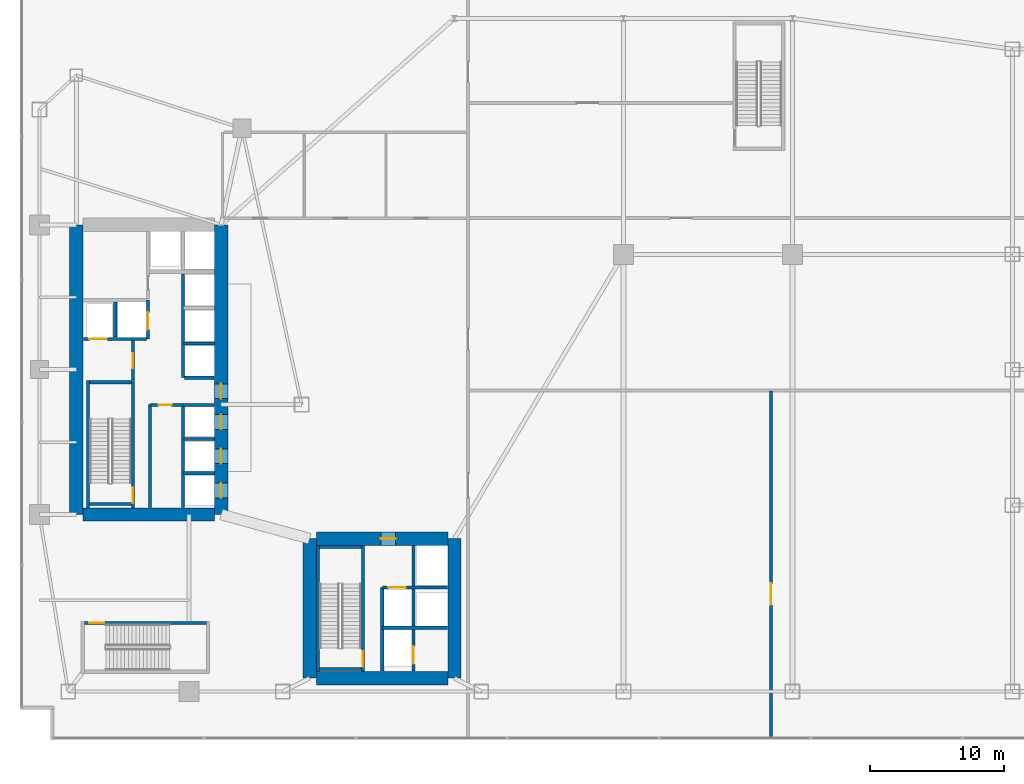
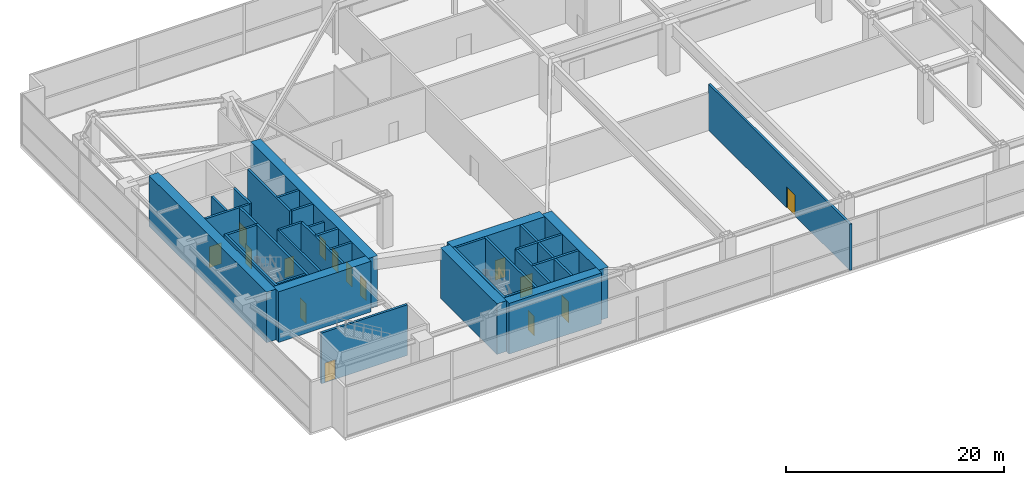
# One storey, part 30 of 35: 34 walls, 15 doors, 15 openings.
"""IFC4 building model written with IfcOpenShell, lengths in metres."""

from ifc_helpers import new_model, si_unit, direction, frame, frame_2d, origin, place, context, subcontext, project, spatial, rectangle, extrude, material, layer, layer_set, type_object, element, fill, save


model = new_model("IFC4")

# Units and contexts
model_context = context("Model", 3, precision=1e-05, world=origin(), true_north=direction((0.0, 1.0)))
body_context = subcontext(model_context, "Body", "Model", "MODEL_VIEW")
ifc_project = project(units=[si_unit("LENGTHUNIT", "METRE"), si_unit("AREAUNIT", "SQUARE_METRE"), si_unit("VOLUMEUNIT", "CUBIC_METRE"), si_unit("PLANEANGLEUNIT", "RADIAN"), si_unit("MASSUNIT", "GRAM", prefix="KILO")], contexts=[model_context])

# Site, building, storey
site_placement = place(None, origin())
site = spatial("IfcSite", under=ifc_project, at=site_placement, CompositionType="ELEMENT")
building_placement = place(site_placement, origin())
building = spatial("IfcBuilding", under=site, at=building_placement, Name="Calvorn Quay Hotel", CompositionType="ELEMENT")
storey_placement = place(building_placement, frame((0.0, 0.0, 6.0)))
storey = spatial("IfcBuildingStorey", under=building, at=storey_placement, Name="L01", CompositionType="ELEMENT", Elevation=6.0)

# Wall
ifc_material_1 = material(Name="Concrete C60", Category="concrete")
ifc_layer_1 = layer(ifc_material_1, 1.0)
ifc_layer_set_1 = layer_set([ifc_layer_1], Name="WL-CORE-1000")
wall_type_1 = type_object("IfcWallType", Name="WL-CORE-1000", PredefinedType="SHEAR", material=ifc_layer_set_1)
wall_1_placement = place(storey_placement, frame((4.199951171875, 16.800048828125, 0.0), z_axis=(0.0, 0.0, 1.0), x_axis=(0.0, 1.0, 0.0)))
element("IfcWall", 1, at=wall_1_placement, inside=storey, type_object=wall_type_1, Name="West Core Shear Wall W (L01)", PredefinedType="SHEAR", context=body_context, shape_type="SweptSolid", body=[
    extrude(rectangle(XDim=21.599853515625, YDim=1.0, at=frame_2d((10.7998046875, 0.0))), origin(), (0.0, 0.0, 1.0), 5.679931640625),
])

# Wall, openings, doors
wall_2_placement = place(storey_placement, frame((15.0, 16.800048828125, 0.0), z_axis=(0.0, 0.0, 1.0), x_axis=(0.0, 1.0, 0.0)))
wall_2 = element("IfcWall", 2, at=wall_2_placement, inside=storey, type_object=wall_type_1, Name="West Core Shear Wall E (L01)", PredefinedType="SHEAR", context=body_context, shape_type="SweptSolid", body=[
    extrude(rectangle(XDim=21.599853515625, YDim=1.0, at=frame_2d((10.7998046875, 0.0))), origin(), (0.0, 0.0, 1.0), 5.679931640625),
])
opening_1_placement = place(wall_2_placement, frame((8.64990234375, 0.0, 0.0)))
opening_1 = element("IfcOpeningElement", 3, at=opening_1_placement, cuts=wall_2, Name="Opening D-L01-CW1", PredefinedType="OPENING", context=body_context, shape_type="SweptSolid", body=[
    extrude(rectangle(XDim=1.10009765625, YDim=2.199951171875, at=frame_2d((0.550048828125, 1.10009765625))), frame((0.0, 0.510009765625, 0.0), z_axis=(0.0, -1.0, 0.0), x_axis=(1.0, 0.0, 0.0)), (0.0, 0.0, 1.0), 1.02001953125),
])
opening_2_placement = place(wall_2_placement, frame((1.25, 0.0, 0.0)))
opening_2 = element("IfcOpeningElement", 4, at=opening_2_placement, cuts=wall_2, Name="Opening LD-L01-L1", PredefinedType="OPENING", context=body_context, shape_type="SweptSolid", body=[
    extrude(rectangle(XDim=1.10009765625, YDim=2.199951171875, at=frame_2d((0.550048828125, 1.10009765625))), frame((0.0, 0.510009765625, 0.0), z_axis=(0.0, -1.0, 0.0), x_axis=(1.0, 0.0, 0.0)), (0.0, 0.0, 1.0), 1.02001953125),
])
opening_3_placement = place(wall_2_placement, frame((3.800048828125, 0.0, 0.0)))
opening_3 = element("IfcOpeningElement", 5, at=opening_3_placement, cuts=wall_2, Name="Opening LD-L01-L2", PredefinedType="OPENING", context=body_context, shape_type="SweptSolid", body=[
    extrude(rectangle(XDim=1.10009765625, YDim=2.199951171875, at=frame_2d((0.550048828125, 1.10009765625))), frame((0.0, 0.510009765625, 0.0), z_axis=(0.0, -1.0, 0.0), x_axis=(1.0, 0.0, 0.0)), (0.0, 0.0, 1.0), 1.02001953125),
])
opening_4_placement = place(wall_2_placement, frame((6.35009765625, 0.0, 0.0)))
opening_4 = element("IfcOpeningElement", 6, at=opening_4_placement, cuts=wall_2, Name="Opening LD-L01-L3", PredefinedType="OPENING", context=body_context, shape_type="SweptSolid", body=[
    extrude(rectangle(XDim=1.10009765625, YDim=2.199951171875, at=frame_2d((0.550048828125, 1.10009765625))), frame((0.0, 0.510009765625, 0.0), z_axis=(0.0, -1.0, 0.0), x_axis=(1.0, 0.0, 0.0)), (0.0, 0.0, 1.0), 1.02001953125),
])
ifc_material_2 = material(Name="Smoke-Sealed Steel Class A Fire Door", Category="steel")
door_type_1 = type_object("IfcDoorType", Name="DR-FFLOBBY-1100", OperationType="NOTDEFINED", PredefinedType="DOOR", material=ifc_material_2)
door_1_placement = place(opening_1_placement, origin())
door_1 = element("IfcDoor", 7, at=door_1_placement, inside=storey, type_object=door_type_1, Name="West Core Vestibule Fire Door (L01)", OperationType="SINGLE_SWING_RIGHT", OverallHeight=2.199951171875, OverallWidth=1.10009765625, PredefinedType="DOOR", context=body_context, shape_type="SweptSolid", body=[
    extrude(rectangle(XDim=1.10009765625, YDim=2.199951171875, at=frame_2d((0.550048828125, 1.10009765625))), frame((0.0, 0.02490234375, 0.0), z_axis=(0.0, -1.0, 0.0), x_axis=(1.0, 0.0, 0.0)), (0.0, 0.0, 1.0), 0.050048828125),
])
fill(opening_1, door_1)
ifc_material_3 = material(Name="Brushed Stainless Steel Sliding Lift Landing Door", Category="steel")
door_type_2 = type_object("IfcDoorType", Name="DR-LIFT-PASS-1100", OperationType="NOTDEFINED", PredefinedType="DOOR", material=ifc_material_3)
door_2_placement = place(opening_2_placement, origin())
door_2 = element("IfcDoor", 8, at=door_2_placement, inside=storey, type_object=door_type_2, Name="Low-Rise Lift PL-L1 Landing Door (L01)", OperationType="DOUBLE_DOOR_SLIDING", OverallHeight=2.199951171875, OverallWidth=1.10009765625, PredefinedType="DOOR", context=body_context, shape_type="SweptSolid", body=[
    extrude(rectangle(XDim=1.10009765625, YDim=2.199951171875, at=frame_2d((0.550048828125, 1.10009765625))), frame((0.0, 0.02490234375, 0.0), z_axis=(0.0, -1.0, 0.0), x_axis=(1.0, 0.0, 0.0)), (0.0, 0.0, 1.0), 0.050048828125),
])
fill(opening_2, door_2)
door_3_placement = place(opening_3_placement, origin())
door_3 = element("IfcDoor", 9, at=door_3_placement, inside=storey, type_object=door_type_2, Name="Low-Rise Lift PL-L2 Landing Door (L01)", OperationType="DOUBLE_DOOR_SLIDING", OverallHeight=2.199951171875, OverallWidth=1.10009765625, PredefinedType="DOOR", context=body_context, shape_type="SweptSolid", body=[
    extrude(rectangle(XDim=1.10009765625, YDim=2.199951171875, at=frame_2d((0.550048828125, 1.10009765625))), frame((0.0, 0.02490234375, 0.0), z_axis=(0.0, -1.0, 0.0), x_axis=(1.0, 0.0, 0.0)), (0.0, 0.0, 1.0), 0.050048828125),
])
fill(opening_3, door_3)
door_4_placement = place(opening_4_placement, origin())
door_4 = element("IfcDoor", 10, at=door_4_placement, inside=storey, type_object=door_type_2, Name="Low-Rise Lift PL-L3 Landing Door (L01)", OperationType="DOUBLE_DOOR_SLIDING", OverallHeight=2.199951171875, OverallWidth=1.10009765625, PredefinedType="DOOR", context=body_context, shape_type="SweptSolid", body=[
    extrude(rectangle(XDim=1.10009765625, YDim=2.199951171875, at=frame_2d((0.550048828125, 1.10009765625))), frame((0.0, 0.02490234375, 0.0), z_axis=(0.0, -1.0, 0.0), x_axis=(1.0, 0.0, 0.0)), (0.0, 0.0, 1.0), 0.050048828125),
])
fill(opening_4, door_4)

# Walls
wall_3_placement = place(storey_placement, frame((4.699951171875, 16.800048828125, 0.0), z_axis=(0.0, 0.0, 1.0), x_axis=(1.0, 0.0, 0.0)))
element("IfcWall", 11, at=wall_3_placement, inside=storey, type_object=wall_type_1, Name="West Core Shear Wall S (L01)", PredefinedType="SHEAR", context=body_context, shape_type="SweptSolid", body=[
    extrude(rectangle(XDim=9.800048828125, YDim=1.0, at=frame_2d((4.89990234375, 0.0))), origin(), (0.0, 0.0, 1.0), 5.679931640625),
])
for number, where, z_axis, x_axis, name in (
    (12, (21.60009765625, 4.60009765625, 0.0), (0.0, 0.0, 1.0), (0.0, 1.0, 0.0), "East Core Shear Wall W (L01)"),
    (13, (32.39990234375, 4.60009765625, 0.0), (0.0, 0.0, 1.0), (0.0, 1.0, 0.0), "East Core Shear Wall E (L01)"),
):
    element("IfcWall", number, at=place(storey_placement, frame(where, z_axis=z_axis, x_axis=x_axis)), inside=storey, type_object=wall_type_1, Name=name, PredefinedType="SHEAR", context=body_context, shape_type="SweptSolid", body=[
        extrude(rectangle(XDim=10.39990234375, YDim=1.0, at=frame_2d((5.199951171875, 0.0))), origin(), (0.0, 0.0, 1.0), 5.679931640625),
    ])

# Wall, opening, door
wall_4_placement = place(storey_placement, frame((22.10009765625, 15.0, 0.0), z_axis=(0.0, 0.0, 1.0), x_axis=(1.0, 0.0, 0.0)))
wall_4 = element("IfcWall", 14, at=wall_4_placement, inside=storey, type_object=wall_type_1, Name="East Core Shear Wall N (L01)", PredefinedType="SHEAR", context=body_context, shape_type="SweptSolid", body=[
    extrude(rectangle(XDim=9.7998046875, YDim=1.0, at=frame_2d((4.89990234375, 0.0))), origin(), (0.0, 0.0, 1.0), 5.679931640625),
])
opening_5_placement = place(wall_4_placement, frame((4.800048828125, 0.0, 0.0)))
opening_5 = element("IfcOpeningElement", 15, at=opening_5_placement, cuts=wall_4, Name="Opening D-L01-FLE", PredefinedType="OPENING", context=body_context, shape_type="SweptSolid", body=[
    extrude(rectangle(XDim=1.10009765625, YDim=2.199951171875, at=frame_2d((0.550048828125, 1.10009765625))), frame((0.0, 0.510009765625, 0.0), z_axis=(0.0, -1.0, 0.0), x_axis=(1.0, 0.0, 0.0)), (0.0, 0.0, 1.0), 1.02001953125),
])
door_5_placement = place(opening_5_placement, origin())
door_5 = element("IfcDoor", 16, at=door_5_placement, inside=storey, type_object=door_type_1, Name="East Firefighting Lobby Fire Door (L01)", OperationType="SINGLE_SWING_LEFT", OverallHeight=2.199951171875, OverallWidth=1.10009765625, PredefinedType="DOOR", context=body_context, shape_type="SweptSolid", body=[
    extrude(rectangle(XDim=1.10009765625, YDim=2.199951171875, at=frame_2d((0.550048828125, 1.10009765625))), frame((0.0, 0.02490234375, 0.0), z_axis=(0.0, -1.0, 0.0), x_axis=(1.0, 0.0, 0.0)), (0.0, 0.0, 1.0), 0.050048828125),
])
fill(opening_5, door_5)

# Walls
wall_5_placement = place(storey_placement, frame((22.10009765625, 4.60009765625, 0.0), z_axis=(0.0, 0.0, 1.0), x_axis=(1.0, 0.0, 0.0)))
element("IfcWall", 17, at=wall_5_placement, inside=storey, type_object=wall_type_1, Name="East Core Shear Wall S (L01)", PredefinedType="SHEAR", context=body_context, shape_type="SweptSolid", body=[
    extrude(rectangle(XDim=9.7998046875, YDim=1.0, at=frame_2d((4.89990234375, 0.0))), origin(), (0.0, 0.0, 1.0), 5.679931640625),
])
ifc_material_4 = material(Name="Autoclaved Aerated Masonry Block", Category="masonry")
ifc_layer_2 = layer(ifc_material_4, 0.219970703125)
ifc_layer_set_2 = layer_set([ifc_layer_2], Name="WL-LOBBY-FIRE-220")
wall_type_2 = type_object("IfcWallType", Name="WL-LOBBY-FIRE-220", PredefinedType="SOLIDWALL", material=ifc_layer_set_2)
wall_6_placement = place(storey_placement, frame((9.679931640625, 17.320068359375, 0.0), z_axis=(0.0, 0.0, 1.0), x_axis=(0.0, 1.0, 0.0)))
element("IfcWall", 18, at=wall_6_placement, inside=storey, type_object=wall_type_2, Name="Partition Wall L01-WL-CWW-STW-HALL-E", PredefinedType="SOLIDWALL", context=body_context, shape_type="SweptSolid", body=[
    extrude(rectangle(XDim=7.679931640625, YDim=0.219970703125, at=frame_2d((3.83984375, 0.0))), origin(), (0.0, 0.0, 1.0), 5.679931640625),
])

# Wall, opening, door
wall_7_placement = place(storey_placement, frame((56.0, 0.06005859375, 0.0), z_axis=(0.0, 0.0, 1.0), x_axis=(0.0, 1.0, 0.0)))
wall_7 = element("IfcWall", 19, at=wall_7_placement, inside=storey, type_object=wall_type_2, Name="Partition Wall L01-WL-L01-BR-M", PredefinedType="SOLIDWALL", context=body_context, shape_type="SweptSolid", body=[
    extrude(rectangle(XDim=25.93994140625, YDim=0.219970703125, at=frame_2d((12.969970703125, 0.0))), origin(), (0.0, 0.0, 1.0), 5.179931640625),
])
opening_6_placement = place(wall_7_placement, frame((10.0, 0.0, 0.0)))
opening_6 = element("IfcOpeningElement", 20, at=opening_6_placement, cuts=wall_7, Name="Opening D-L01-BST", PredefinedType="OPENING", context=body_context, shape_type="SweptSolid", body=[
    extrude(rectangle(XDim=1.60009765625, YDim=2.35009765625, at=frame_2d((0.800048828125, 1.175048828125))), frame((0.0, 0.119873046875, 0.0), z_axis=(0.0, -1.0, 0.0), x_axis=(1.0, 0.0, 0.0)), (0.0, 0.0, 1.0), 0.239990234375),
])
ifc_material_5 = material(Name="Heavy-Duty Steel Acoustic Plant Fire Door", Category="steel")
door_type_3 = type_object("IfcDoorType", Name="DR-PLANT-DBL-1600", OperationType="NOTDEFINED", PredefinedType="DOOR", material=ifc_material_5)
door_6_placement = place(opening_6_placement, origin())
door_6 = element("IfcDoor", 21, at=door_6_placement, inside=storey, type_object=door_type_3, Name="Banquet Furniture Store Door", OperationType="SINGLE_SWING_LEFT", OverallHeight=2.35009765625, OverallWidth=1.60009765625, PredefinedType="DOOR", context=body_context, shape_type="SweptSolid", body=[
    extrude(rectangle(XDim=1.60009765625, YDim=2.35009765625, at=frame_2d((0.800048828125, 1.175048828125))), frame((0.0, 0.02490234375, 0.0), z_axis=(0.0, -1.0, 0.0), x_axis=(1.0, 0.0, 0.0)), (0.0, 0.0, 1.0), 0.050048828125),
])
fill(opening_6, door_6)

# Wall
ifc_material_6 = material(Name="Concrete C40", Category="concrete")
ifc_layer_3 = layer(ifc_material_6, 0.239990234375)
ifc_layer_set_3 = layer_set([ifc_layer_3], Name="WL-SHAFT-240")
wall_type_3 = type_object("IfcWallType", Name="WL-SHAFT-240", PredefinedType="SOLIDWALL", material=ifc_layer_set_3)
wall_8_placement = place(storey_placement, frame((5.080078125, 17.300048828125, 0.0), z_axis=(0.0, 0.0, 1.0), x_axis=(0.0, 1.0, 0.0)))
element("IfcWall", 22, at=wall_8_placement, inside=storey, type_object=wall_type_3, Name="Stair STW Shaft Wall W (L01)", PredefinedType="SOLIDWALL", context=body_context, shape_type="SweptSolid", body=[
    extrude(rectangle(XDim=9.489990234375, YDim=0.239990234375, at=frame_2d((4.7451171875, 0.0))), origin(), (0.0, 0.0, 1.0), 5.679931640625),
])

# Wall, opening, door
wall_9_placement = place(storey_placement, frame((8.419921875, 17.300048828125, 0.0), z_axis=(0.0, 0.0, 1.0), x_axis=(0.0, 1.0, 0.0)))
wall_9 = element("IfcWall", 23, at=wall_9_placement, inside=storey, type_object=wall_type_3, Name="Stair STW Shaft Wall E (L01)", PredefinedType="SOLIDWALL", context=body_context, shape_type="SweptSolid", body=[
    extrude(rectangle(XDim=9.489990234375, YDim=0.239990234375, at=frame_2d((4.7451171875, 0.0))), origin(), (0.0, 0.0, 1.0), 5.679931640625),
])
opening_7_placement = place(wall_9_placement, frame((0.35009765625, 0.0, 0.0)))
opening_7 = element("IfcOpeningElement", 24, at=opening_7_placement, cuts=wall_9, Name="Opening D-L01-STW", PredefinedType="OPENING", context=body_context, shape_type="SweptSolid", body=[
    extrude(rectangle(XDim=1.14990234375, YDim=2.199951171875, at=frame_2d((0.574951171875, 1.10009765625))), frame((0.0, 0.1298828125, 0.0), z_axis=(0.0, -1.0, 0.0), x_axis=(1.0, 0.0, 0.0)), (0.0, 0.0, 1.0), 0.260009765625),
])
ifc_material_7 = material(Name="Galvanised Steel Class A Fire Door", Category="steel")
door_type_4 = type_object("IfcDoorType", Name="DR-STAIR-SMOKE-1150", OperationType="NOTDEFINED", PredefinedType="DOOR", material=ifc_material_7)
door_7_placement = place(opening_7_placement, origin())
door_7 = element("IfcDoor", 25, at=door_7_placement, inside=storey, type_object=door_type_4, Name="Stair ST-W Fire Door (L01)", OperationType="SINGLE_SWING_LEFT", OverallHeight=2.199951171875, OverallWidth=1.14990234375, PredefinedType="DOOR", context=body_context, shape_type="SweptSolid", body=[
    extrude(rectangle(XDim=1.14990234375, YDim=2.199951171875, at=frame_2d((0.574951171875, 1.10009765625))), frame((0.0, 0.02490234375, 0.0), z_axis=(0.0, -1.0, 0.0), x_axis=(1.0, 0.0, 0.0)), (0.0, 0.0, 1.0), 0.050048828125),
])
fill(opening_7, door_7)

# Walls
for number, where, z_axis, x_axis, name in (
    (26, (5.199951171875, 17.580078125, 0.0), (0.0, 0.0, 1.0), (1.0, 0.0, 0.0), "Stair STW Shaft Wall S (L01)"),
    (27, (5.199951171875, 26.669921875, 0.0), (0.0, 0.0, 1.0), (1.0, 0.0, 0.0), "Stair STW Shaft Wall N (L01)"),
):
    element("IfcWall", number, at=place(storey_placement, frame(where, z_axis=z_axis, x_axis=x_axis)), inside=storey, type_object=wall_type_3, Name=name, PredefinedType="SOLIDWALL", context=body_context, shape_type="SweptSolid", body=[
        extrude(rectangle(XDim=3.10009765625, YDim=0.239990234375, at=frame_2d((1.550048828125, 0.0))), origin(), (0.0, 0.0, 1.0), 5.679931640625),
    ])
wall_10_placement = place(storey_placement, frame((22.22998046875, 5.10009765625, 0.0), z_axis=(0.0, 0.0, 1.0), x_axis=(0.0, 1.0, 0.0)))
element("IfcWall", 28, at=wall_10_placement, inside=storey, type_object=wall_type_3, Name="Stair STE Shaft Wall W (L01)", PredefinedType="SOLIDWALL", context=body_context, shape_type="SweptSolid", body=[
    extrude(rectangle(XDim=9.389892578125, YDim=0.239990234375, at=frame_2d((4.69482421875, 0.0))), origin(), (0.0, 0.0, 1.0), 5.679931640625),
])

# Wall, opening, door
wall_11_placement = place(storey_placement, frame((25.570068359375, 5.10009765625, 0.0), z_axis=(0.0, 0.0, 1.0), x_axis=(0.0, 1.0, 0.0)))
wall_11 = element("IfcWall", 29, at=wall_11_placement, inside=storey, type_object=wall_type_3, Name="Stair STE Shaft Wall E (L01)", PredefinedType="SOLIDWALL", context=body_context, shape_type="SweptSolid", body=[
    extrude(rectangle(XDim=9.389892578125, YDim=0.239990234375, at=frame_2d((4.69482421875, 0.0))), origin(), (0.0, 0.0, 1.0), 5.679931640625),
])
opening_8_placement = place(wall_11_placement, frame((0.35009765625, 0.0, 0.0)))
opening_8 = element("IfcOpeningElement", 30, at=opening_8_placement, cuts=wall_11, Name="Opening D-L01-STE", PredefinedType="OPENING", context=body_context, shape_type="SweptSolid", body=[
    extrude(rectangle(XDim=1.14990234375, YDim=2.199951171875, at=frame_2d((0.574951171875, 1.10009765625))), frame((0.0, 0.1298828125, 0.0), z_axis=(0.0, -1.0, 0.0), x_axis=(1.0, 0.0, 0.0)), (0.0, 0.0, 1.0), 0.260009765625),
])
door_8_placement = place(opening_8_placement, origin())
door_8 = element("IfcDoor", 31, at=door_8_placement, inside=storey, type_object=door_type_4, Name="Stair ST-E Fire Door (L01)", OperationType="SINGLE_SWING_RIGHT", OverallHeight=2.199951171875, OverallWidth=1.14990234375, PredefinedType="DOOR", context=body_context, shape_type="SweptSolid", body=[
    extrude(rectangle(XDim=1.14990234375, YDim=2.199951171875, at=frame_2d((0.574951171875, 1.10009765625))), frame((0.0, 0.02490234375, 0.0), z_axis=(0.0, -1.0, 0.0), x_axis=(1.0, 0.0, 0.0)), (0.0, 0.0, 1.0), 0.050048828125),
])
fill(opening_8, door_8)

# Walls
for number, where, z_axis, x_axis, name in (
    (32, (22.35009765625, 5.280029296875, 0.0), (0.0, 0.0, 1.0), (1.0, 0.0, 0.0), "Stair STE Shaft Wall S (L01)"),
    (33, (22.35009765625, 14.3701171875, 0.0), (0.0, 0.0, 1.0), (1.0, 0.0, 0.0), "Stair STE Shaft Wall N (L01)"),
):
    element("IfcWall", number, at=place(storey_placement, frame(where, z_axis=z_axis, x_axis=x_axis)), inside=storey, type_object=wall_type_3, Name=name, PredefinedType="SOLIDWALL", context=body_context, shape_type="SweptSolid", body=[
        extrude(rectangle(XDim=3.099853515625, YDim=0.239990234375, at=frame_2d((1.5498046875, 0.0))), origin(), (0.0, 0.0, 1.0), 5.679931640625),
    ])

# Wall, opening, door
wall_12_placement = place(storey_placement, frame((4.800048828125, 8.719970703125, 0.0), z_axis=(0.0, 0.0, 1.0), x_axis=(1.0, 0.0, 0.0)))
wall_12 = element("IfcWall", 34, at=wall_12_placement, inside=storey, type_object=wall_type_3, Name="Stair STP2 Shaft Wall N (L01)", PredefinedType="SOLIDWALL", context=body_context, shape_type="SweptSolid", body=[
    extrude(rectangle(XDim=9.099853515625, YDim=0.239990234375, at=frame_2d((4.5498046875, 0.0))), origin(), (0.0, 0.0, 1.0), 5.679931640625),
])
opening_9_placement = place(wall_12_placement, frame((0.35009765625, 0.0, 0.0)))
opening_9 = element("IfcOpeningElement", 35, at=opening_9_placement, cuts=wall_12, Name="Opening D-L01-STP2", PredefinedType="OPENING", context=body_context, shape_type="SweptSolid", body=[
    extrude(rectangle(XDim=1.14990234375, YDim=2.199951171875, at=frame_2d((0.574951171875, 1.10009765625))), frame((0.0, 0.1298828125, 0.0), z_axis=(0.0, -1.0, 0.0), x_axis=(1.0, 0.0, 0.0)), (0.0, 0.0, 1.0), 0.260009765625),
])
door_9_placement = place(opening_9_placement, origin())
door_9 = element("IfcDoor", 36, at=door_9_placement, inside=storey, type_object=door_type_4, Name="Podium Stair ST-P2 Fire Door (L01)", OperationType="SINGLE_SWING_RIGHT", OverallHeight=2.199951171875, OverallWidth=1.14990234375, PredefinedType="DOOR", context=body_context, shape_type="SweptSolid", body=[
    extrude(rectangle(XDim=1.14990234375, YDim=2.199951171875, at=frame_2d((0.574951171875, 1.10009765625))), frame((0.0, 0.02490234375, 0.0), z_axis=(0.0, -1.0, 0.0), x_axis=(1.0, 0.0, 0.0)), (0.0, 0.0, 1.0), 0.050048828125),
])
fill(opening_9, door_9)

# Walls
for number, where, z_axis, x_axis, name in (
    (37, (12.179931640625, 19.875, 0.0), (0.0, 0.0, 1.0), (1.0, 0.0, 0.0), "Lift Hoistway Divider Wall PLL12 (L01)"),
    (38, (12.179931640625, 22.425048828125, 0.0), (0.0, 0.0, 1.0), (1.0, 0.0, 0.0), "Lift Hoistway Divider Wall PLL23 (L01)"),
    (39, (12.179931640625, 29.550048828125, 0.0), (0.0, 0.0, 1.0), (1.0, 0.0, 0.0), "Lift Hoistway Divider Wall PLM12 (L01)"),
):
    element("IfcWall", number, at=place(storey_placement, frame(where, z_axis=z_axis, x_axis=x_axis)), inside=storey, type_object=wall_type_3, Name=name, PredefinedType="SOLIDWALL", context=body_context, shape_type="SweptSolid", body=[
        extrude(rectangle(XDim=2.320068359375, YDim=0.239990234375, at=frame_2d((1.16015625, 0.0))), origin(), (0.0, 0.0, 1.0), 5.679931640625),
    ])

# Wall, opening, door
wall_13_placement = place(storey_placement, frame((8.419921875, 26.820068359375, 0.0), z_axis=(0.0, 0.0, 1.0), x_axis=(0.0, 1.0, 0.0)))
wall_13 = element("IfcWall", 40, at=wall_13_placement, inside=storey, type_object=wall_type_3, Name="Partition Wall L01-WL-CWW-FFL-E", PredefinedType="SOLIDWALL", context=body_context, shape_type="SweptSolid", body=[
    extrude(rectangle(XDim=3.0, YDim=0.239990234375, at=frame_2d((1.5, 0.0))), origin(), (0.0, 0.0, 1.0), 5.679931640625),
])
opening_10_placement = place(wall_13_placement, frame((0.89990234375, 0.0, 0.0)))
opening_10 = element("IfcOpeningElement", 41, at=opening_10_placement, cuts=wall_13, Name="Opening D-L01-FLW", PredefinedType="OPENING", context=body_context, shape_type="SweptSolid", body=[
    extrude(rectangle(XDim=1.10009765625, YDim=2.199951171875, at=frame_2d((0.550048828125, 1.10009765625))), frame((0.0, 0.1298828125, 0.0), z_axis=(0.0, -1.0, 0.0), x_axis=(1.0, 0.0, 0.0)), (0.0, 0.0, 1.0), 0.260009765625),
])
door_10_placement = place(opening_10_placement, origin())
door_10 = element("IfcDoor", 42, at=door_10_placement, inside=storey, type_object=door_type_1, Name="West Firefighting Lobby Fire Door (L01)", OperationType="SINGLE_SWING_RIGHT", OverallHeight=2.199951171875, OverallWidth=1.10009765625, PredefinedType="DOOR", context=body_context, shape_type="SweptSolid", body=[
    extrude(rectangle(XDim=1.10009765625, YDim=2.199951171875, at=frame_2d((0.550048828125, 1.10009765625))), frame((0.0, 0.02490234375, 0.0), z_axis=(0.0, -1.0, 0.0), x_axis=(1.0, 0.0, 0.0)), (0.0, 0.0, 1.0), 0.050048828125),
])
fill(opening_10, door_10)

wall_14_placement = place(storey_placement, frame((4.719970703125, 29.8798828125, 0.0), z_axis=(0.0, 0.0, 1.0), x_axis=(1.0, 0.0, 0.0)))
wall_14 = element("IfcWall", 43, at=wall_14_placement, inside=storey, type_object=wall_type_3, Name="Partition Wall L01-WL-CWW-FLW-S", PredefinedType="SOLIDWALL", context=body_context, shape_type="SweptSolid", body=[
    extrude(rectangle(XDim=4.699951171875, YDim=0.239990234375, at=frame_2d((2.35009765625, 0.0))), origin(), (0.0, 0.0, 1.0), 5.679931640625),
])
opening_11_placement = place(wall_14_placement, frame((0.449951171875, 0.0, 0.0)))
opening_11 = element("IfcOpeningElement", 44, at=opening_11_placement, cuts=wall_14, Name="Opening LD-L01-FLW1", PredefinedType="OPENING", context=body_context, shape_type="SweptSolid", body=[
    extrude(rectangle(XDim=1.300048828125, YDim=2.35009765625, at=frame_2d((0.64990234375, 1.175048828125))), frame((0.0, 0.1298828125, 0.0), z_axis=(0.0, -1.0, 0.0), x_axis=(1.0, 0.0, 0.0)), (0.0, 0.0, 1.0), 0.260009765625),
])
ifc_material_8 = material(Name="Champagne-Bronze Sliding Express Lift Landing Door")
door_type_5 = type_object("IfcDoorType", Name="DR-LIFT-SHUTTLE-1300", OperationType="NOTDEFINED", PredefinedType="DOOR", material=ifc_material_8)
door_11_placement = place(opening_11_placement, origin())
door_11 = element("IfcDoor", 45, at=door_11_placement, inside=storey, type_object=door_type_5, Name="Firefighting Lift FL-W1 Landing Door (L01)", OperationType="DOUBLE_DOOR_SLIDING", OverallHeight=2.35009765625, OverallWidth=1.300048828125, PredefinedType="DOOR", context=body_context, shape_type="SweptSolid", body=[
    extrude(rectangle(XDim=1.300048828125, YDim=2.35009765625, at=frame_2d((0.64990234375, 1.175048828125))), frame((0.0, 0.02490234375, 0.0), z_axis=(0.0, -1.0, 0.0), x_axis=(1.0, 0.0, 0.0)), (0.0, 0.0, 1.0), 0.050048828125),
])
fill(opening_11, door_11)

# Wall
wall_15_placement = place(storey_placement, frame((7.10009765625, 30.02001953125, 0.0), z_axis=(0.0, 0.0, 1.0), x_axis=(0.0, 1.0, 0.0)))
element("IfcWall", 46, at=wall_15_placement, inside=storey, type_object=wall_type_3, Name="Partition Wall L01-WL-CWW-FLW-DIV", PredefinedType="SOLIDWALL", context=body_context, shape_type="SweptSolid", body=[
    extrude(rectangle(XDim=2.6298828125, YDim=0.239990234375, at=frame_2d((1.31494140625, 0.0))), origin(), (0.0, 0.0, 1.0), 5.679931640625),
])

# Wall, opening, door
wall_16_placement = place(storey_placement, frame((9.5400390625, 29.8798828125, 0.0), z_axis=(0.0, 0.0, 1.0), x_axis=(0.0, 1.0, 0.0)))
wall_16 = element("IfcWall", 47, at=wall_16_placement, inside=storey, type_object=wall_type_3, Name="Partition Wall L01-WL-CWW-SLW-E", PredefinedType="SOLIDWALL", context=body_context, shape_type="SweptSolid", body=[
    extrude(rectangle(XDim=2.900146484375, YDim=0.239990234375, at=frame_2d((1.4501953125, 0.0))), origin(), (0.0, 0.0, 1.0), 5.679931640625),
])
opening_12_placement = place(wall_16_placement, frame((0.699951171875, 0.0, 0.0)))
opening_12 = element("IfcOpeningElement", 48, at=opening_12_placement, cuts=wall_16, Name="Opening LD-L01-SLW1", PredefinedType="OPENING", context=body_context, shape_type="SweptSolid", body=[
    extrude(rectangle(XDim=1.300048828125, YDim=2.35009765625, at=frame_2d((0.64990234375, 1.175048828125))), frame((0.0, 0.1298828125, 0.0), z_axis=(0.0, -1.0, 0.0), x_axis=(1.0, 0.0, 0.0)), (0.0, 0.0, 1.0), 0.260009765625),
])
door_12_placement = place(opening_12_placement, origin())
door_12 = element("IfcDoor", 49, at=door_12_placement, inside=storey, type_object=door_type_5, Name="Service Lift SL-W1 Landing Door (L01)", OperationType="DOUBLE_DOOR_SLIDING", OverallHeight=2.35009765625, OverallWidth=1.300048828125, PredefinedType="DOOR", context=body_context, shape_type="SweptSolid", body=[
    extrude(rectangle(XDim=1.300048828125, YDim=2.35009765625, at=frame_2d((0.64990234375, 1.175048828125))), frame((0.0, 0.02490234375, 0.0), z_axis=(0.0, -1.0, 0.0), x_axis=(1.0, 0.0, 0.0)), (0.0, 0.0, 1.0), 0.050048828125),
])
fill(opening_12, door_12)

# Wall
wall_17_placement = place(storey_placement, frame((12.14990234375, 17.320068359375, 0.0), z_axis=(0.0, 0.0, 1.0), x_axis=(0.0, 1.0, 0.0)))
element("IfcWall", 50, at=wall_17_placement, inside=storey, type_object=wall_type_3, Name="Partition Wall L01-WL-CWW-PLL-W", PredefinedType="SOLIDWALL", context=body_context, shape_type="SweptSolid", body=[
    extrude(rectangle(XDim=7.64990234375, YDim=0.239990234375, at=frame_2d((3.824951171875, 0.0))), origin(), (0.0, 0.0, 1.0), 5.679931640625),
])

# Wall, opening, door
wall_18_placement = place(storey_placement, frame((9.679931640625, 24.969970703125, 0.0), z_axis=(0.0, 0.0, 1.0), x_axis=(1.0, 0.0, 0.0)))
wall_18 = element("IfcWall", 51, at=wall_18_placement, inside=storey, type_object=wall_type_3, Name="Partition Wall L01-WL-CWW-SER-N", PredefinedType="SOLIDWALL", context=body_context, shape_type="SweptSolid", body=[
    extrude(rectangle(XDim=2.469970703125, YDim=0.239990234375, at=frame_2d((1.23486328125, 0.0))), origin(), (0.0, 0.0, 1.0), 5.679931640625),
])
opening_13_placement = place(wall_18_placement, frame((0.64990234375, 0.0, 0.0)))
opening_13 = element("IfcOpeningElement", 52, at=opening_13_placement, cuts=wall_18, Name="Opening D-L01-CSR", PredefinedType="OPENING", context=body_context, shape_type="SweptSolid", body=[
    extrude(rectangle(XDim=0.97998046875, YDim=2.14990234375, at=frame_2d((0.489990234375, 1.074951171875))), frame((0.0, 0.1298828125, 0.0), z_axis=(0.0, -1.0, 0.0), x_axis=(1.0, 0.0, 0.0)), (0.0, 0.0, 1.0), 0.260009765625),
])
ifc_material_9 = material(Name="Painted Steel Housekeeping/Riser Fire Door", Category="steel")
door_type_6 = type_object("IfcDoorType", Name="DR-SERVICE-980", OperationType="NOTDEFINED", PredefinedType="DOOR", material=ifc_material_9)
door_13_placement = place(opening_13_placement, origin())
door_13 = element("IfcDoor", 53, at=door_13_placement, inside=storey, type_object=door_type_6, Name="Core Service Closet Door (L01)", OperationType="SINGLE_SWING_LEFT", OverallHeight=2.14990234375, OverallWidth=0.97998046875, PredefinedType="DOOR", context=body_context, shape_type="SweptSolid", body=[
    extrude(rectangle(XDim=0.97998046875, YDim=2.14990234375, at=frame_2d((0.489990234375, 1.074951171875))), frame((0.0, 0.02490234375, 0.0), z_axis=(0.0, -1.0, 0.0), x_axis=(1.0, 0.0, 0.0)), (0.0, 0.0, 1.0), 0.050048828125),
])
fill(opening_13, door_13)

# Walls
wall_19_placement = place(storey_placement, frame((12.14990234375, 24.969970703125, 0.0), z_axis=(0.0, 0.0, 1.0), x_axis=(1.0, 0.0, 0.0)))
element("IfcWall", 54, at=wall_19_placement, inside=storey, type_object=wall_type_3, Name="Partition Wall L01-WL-CWW-PLL-SHN", PredefinedType="SOLIDWALL", context=body_context, shape_type="SweptSolid", body=[
    extrude(rectangle(XDim=2.330078125, YDim=0.239990234375, at=frame_2d((1.1650390625, 0.0))), origin(), (0.0, 0.0, 1.0), 4.8798828125),
])
wall_20_placement = place(storey_placement, frame((12.25, 27.0, 0.0), z_axis=(0.0, 0.0, 1.0), x_axis=(1.0, 0.0, 0.0)))
element("IfcWall", 55, at=wall_20_placement, inside=storey, type_object=wall_type_3, Name="Partition Wall L01-WL-CWW-PLM-S", PredefinedType="SOLIDWALL", context=body_context, shape_type="SweptSolid", body=[
    extrude(rectangle(XDim=2.22998046875, YDim=0.239990234375, at=frame_2d((1.114990234375, 0.0))), origin(), (0.0, 0.0, 1.0), 5.679931640625),
])
wall_21_placement = place(storey_placement, frame((12.14990234375, 27.0, 0.0), z_axis=(0.0, 0.0, 1.0), x_axis=(0.0, 1.0, 0.0)))
element("IfcWall", 56, at=wall_21_placement, inside=storey, type_object=wall_type_3, Name="Partition Wall L01-WL-CWW-PLM-W", PredefinedType="SOLIDWALL", context=body_context, shape_type="SweptSolid", body=[
    extrude(rectangle(XDim=7.75, YDim=0.239990234375, at=frame_2d((3.875, 0.0))), origin(), (0.0, 0.0, 1.0), 5.679931640625),
])
wall_22_placement = place(storey_placement, frame((27.02001953125, 5.1201171875, 0.0), z_axis=(0.0, 0.0, 1.0), x_axis=(0.0, 1.0, 0.0)))
element("IfcWall", 57, at=wall_22_placement, inside=storey, type_object=wall_type_3, Name="Partition Wall L01-WL-CWE-SH-W", PredefinedType="SOLIDWALL", context=body_context, shape_type="SweptSolid", body=[
    extrude(rectangle(XDim=6.22998046875, YDim=0.239990234375, at=frame_2d((3.114990234375, 0.0))), origin(), (0.0, 0.0, 1.0), 5.679931640625),
])

# Wall, opening, door
wall_23_placement = place(storey_placement, frame((27.02001953125, 11.35009765625, 0.0), z_axis=(0.0, 0.0, 1.0), x_axis=(1.0, 0.0, 0.0)))
wall_23 = element("IfcWall", 58, at=wall_23_placement, inside=storey, type_object=wall_type_3, Name="Partition Wall L01-WL-CWE-FFL-S", PredefinedType="SOLIDWALL", context=body_context, shape_type="SweptSolid", body=[
    extrude(rectangle(XDim=4.85986328125, YDim=0.239990234375, at=frame_2d((2.429931640625, 0.0))), origin(), (0.0, 0.0, 1.0), 5.679931640625),
])
opening_14_placement = place(wall_23_placement, frame((0.449951171875, 0.0, 0.0)))
opening_14 = element("IfcOpeningElement", 59, at=opening_14_placement, cuts=wall_23, Name="Opening LD-L01-FLE1", PredefinedType="OPENING", context=body_context, shape_type="SweptSolid", body=[
    extrude(rectangle(XDim=1.300048828125, YDim=2.35009765625, at=frame_2d((0.64990234375, 1.175048828125))), frame((0.0, 0.1298828125, 0.0), z_axis=(0.0, -1.0, 0.0), x_axis=(1.0, 0.0, 0.0)), (0.0, 0.0, 1.0), 0.260009765625),
])
door_14_placement = place(opening_14_placement, origin())
door_14 = element("IfcDoor", 60, at=door_14_placement, inside=storey, type_object=door_type_5, Name="Firefighting Lift FL-E1 Landing Door (L01)", OperationType="DOUBLE_DOOR_SLIDING", OverallHeight=2.35009765625, OverallWidth=1.300048828125, PredefinedType="DOOR", context=body_context, shape_type="SweptSolid", body=[
    extrude(rectangle(XDim=1.300048828125, YDim=2.35009765625, at=frame_2d((0.64990234375, 1.175048828125))), frame((0.0, 0.02490234375, 0.0), z_axis=(0.0, -1.0, 0.0), x_axis=(1.0, 0.0, 0.0)), (0.0, 0.0, 1.0), 0.050048828125),
])
fill(opening_14, door_14)

# Wall
wall_24_placement = place(storey_placement, frame((27.02001953125, 8.35009765625, 0.0), z_axis=(0.0, 0.0, 1.0), x_axis=(1.0, 0.0, 0.0)))
element("IfcWall", 61, at=wall_24_placement, inside=storey, type_object=wall_type_3, Name="Partition Wall L01-WL-CWE-SL-N", PredefinedType="SOLIDWALL", context=body_context, shape_type="SweptSolid", body=[
    extrude(rectangle(XDim=4.85986328125, YDim=0.239990234375, at=frame_2d((2.429931640625, 0.0))), origin(), (0.0, 0.0, 1.0), 5.679931640625),
])

# Wall, opening, door
wall_25_placement = place(storey_placement, frame((29.35009765625, 5.1201171875, 0.0), z_axis=(0.0, 0.0, 1.0), x_axis=(0.0, 1.0, 0.0)))
wall_25 = element("IfcWall", 62, at=wall_25_placement, inside=storey, type_object=wall_type_3, Name="Partition Wall L01-WL-CWE-OB-W", PredefinedType="SOLIDWALL", context=body_context, shape_type="SweptSolid", body=[
    extrude(rectangle(XDim=9.35986328125, YDim=0.239990234375, at=frame_2d((4.679931640625, 0.0))), origin(), (0.0, 0.0, 1.0), 5.679931640625),
])
opening_15_placement = place(wall_25_placement, frame((0.550048828125, 0.0, 0.0)))
opening_15 = element("IfcOpeningElement", 63, at=opening_15_placement, cuts=wall_25, Name="Opening LD-L01-SLEI", PredefinedType="OPENING", context=body_context, shape_type="SweptSolid", body=[
    extrude(rectangle(XDim=1.300048828125, YDim=2.35009765625, at=frame_2d((0.64990234375, 1.175048828125))), frame((0.0, 0.1298828125, 0.0), z_axis=(0.0, -1.0, 0.0), x_axis=(1.0, 0.0, 0.0)), (0.0, 0.0, 1.0), 0.260009765625),
])
door_15_placement = place(opening_15_placement, origin())
door_15 = element("IfcDoor", 64, at=door_15_placement, inside=storey, type_object=door_type_5, Name="Service Lift SL-E1 Landing Door (L01)", OperationType="DOUBLE_DOOR_SLIDING", OverallHeight=2.35009765625, OverallWidth=1.300048828125, PredefinedType="DOOR", context=body_context, shape_type="SweptSolid", body=[
    extrude(rectangle(XDim=1.300048828125, YDim=2.35009765625, at=frame_2d((0.64990234375, 1.175048828125))), frame((0.0, 0.02490234375, 0.0), z_axis=(0.0, -1.0, 0.0), x_axis=(1.0, 0.0, 0.0)), (0.0, 0.0, 1.0), 0.050048828125),
])
fill(opening_15, door_15)

save(model, "model.ifc")
